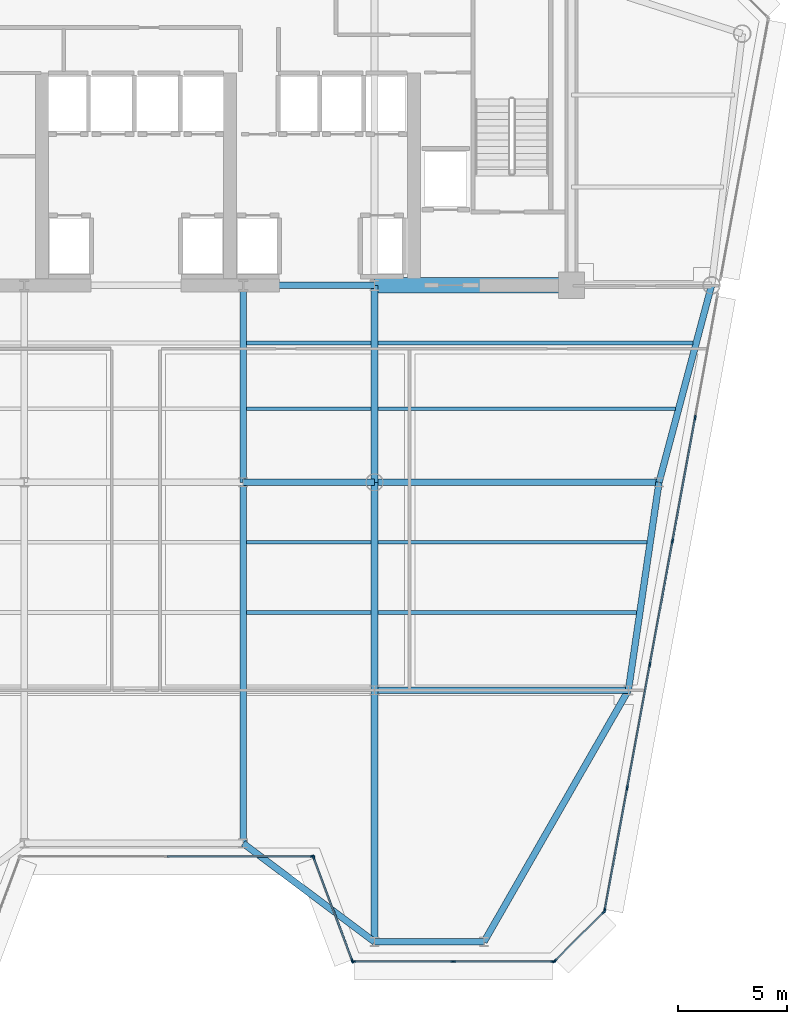
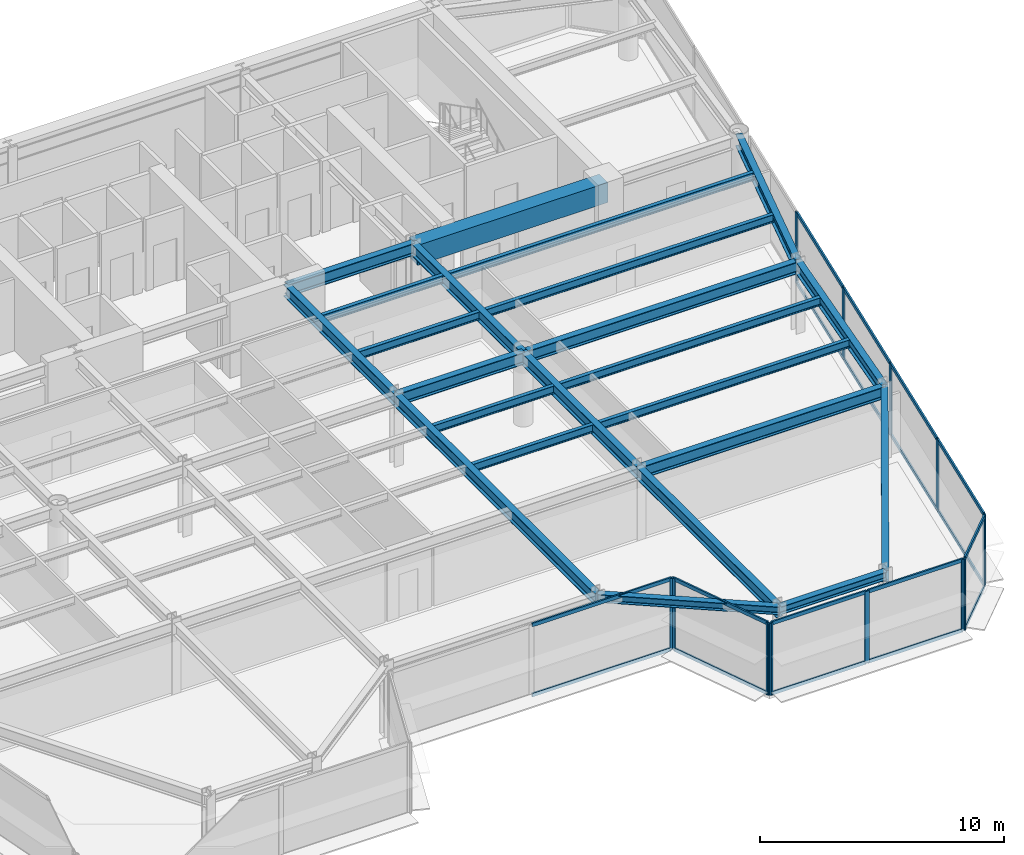
# One storey, part 4 of 15: 31 members, 23 beams, 5 elements without a shape of their own.
"""IFC4 building model written with IfcOpenShell, lengths in metres."""

from ifc_helpers import new_model, si_unit, direction, frame, origin, origin_2d, place, context, subcontext, project, spatial, rectangle, i_section, extrude, source, transform, mapped, material, layer, layer_set, material_profile, profile_set, type_object, element, aggregate, save


model = new_model("IFC4")

# Units and contexts
model_context = context("Model", 3, precision=1e-05, world=origin(), true_north=direction((0.0, 1.0)))
body_context = subcontext(model_context, "Body", "Model", "MODEL_VIEW")
ifc_project = project(units=[si_unit("LENGTHUNIT", "METRE"), si_unit("AREAUNIT", "SQUARE_METRE"), si_unit("VOLUMEUNIT", "CUBIC_METRE"), si_unit("PLANEANGLEUNIT", "RADIAN"), si_unit("MASSUNIT", "GRAM", prefix="KILO")], contexts=[model_context])

# Site, building, storey
site_placement = place(None, origin())
site = spatial("IfcSite", under=ifc_project, at=site_placement, CompositionType="ELEMENT")
building_placement = place(site_placement, origin())
building = spatial("IfcBuilding", under=site, at=building_placement, Name="Vaeldorn Concourse Tower", CompositionType="ELEMENT")
storey_placement = place(building_placement, frame((0.0, 0.0, 199.39990234375)))
storey = spatial("IfcBuildingStorey", under=building, at=storey_placement, Name="L51", CompositionType="ELEMENT", Elevation=199.39990234375)

# Beams
ifc_material_1 = material(Name="Concrete C50/60", Category="concrete")
ifc_material_profile_1 = material_profile(ifc_material_1, rectangle(XDim=0.699951171875, YDim=1.0, at=origin_2d()), Name="RC 700x1000")
ifc_profile_set_1 = profile_set([ifc_material_profile_1], Name="Concrete C50/60")
beam_type_1 = type_object("IfcBeamType", Name="BM-CB-RC700", PredefinedType="BEAM", material=ifc_profile_set_1)
shared_shape_1 = source(origin(), body_context, "Body", "SweptSolid", [
    extrude(rectangle(XDim=0.699951171875, YDim=1.0, at=origin_2d()), origin(), (0.0, 0.0, 1.0), 9.0),
])
beam_1_placement = place(storey_placement, frame((45.0, 36.5, 3.080078125), z_axis=(1.0, 0.0, 0.0), x_axis=(0.0, 1.0, 0.0)))
element("IfcBeam", 1, at=beam_1_placement, inside=storey, type_object=beam_type_1, Name="Core Coupling Beam L51-2", PredefinedType="BEAM", context=body_context, shape_type="MappedRepresentation", body=[
    mapped(shared_shape_1, transform((0.0, 0.0, 0.0), scale=1.0)),
])
ifc_material_2 = material(Name="Steel S355", Category="steel")
ifc_material_profile_2 = material_profile(ifc_material_2, i_section(OverallWidth=0.300048828125, OverallDepth=0.60009765625, WebThickness=0.015380859375, FlangeThickness=0.030029296875, FilletRadius=0.027099609375, at=origin_2d()), Name="HEB 600")
ifc_profile_set_2 = profile_set([ifc_material_profile_2], Name="Steel S355")
beam_type_2 = type_object("IfcBeamType", Name="BM-PG-HEB600", PredefinedType="BEAM", material=ifc_profile_set_2)
shared_shape_2 = source(origin(), body_context, "Body", "SweptSolid", [
    extrude(i_section(OverallWidth=0.300048828125, OverallDepth=0.60009765625, WebThickness=0.015380859375, FlangeThickness=0.030029296875, FilletRadius=0.027099609375, at=origin_2d()), origin(), (0.0, 0.0, 1.0), 6.0),
])
for number, where, z_axis, x_axis, name in (
    (2, (39.0, 36.5, 3.280029296875), (1.0, 0.0, 0.0), (0.0, 1.0, 0.0), "Beam BM-L51-C-FC4-C-FC5"),
    (3, (39.0, 27.5, 3.280029296875), (1.0, 0.0, 0.0), (0.0, 1.0, 0.0), "Beam BM-L51-C-TW3-C-TW4"),
):
    element("IfcBeam", number, at=place(storey_placement, frame(where, z_axis=z_axis, x_axis=x_axis)), inside=storey, type_object=beam_type_2, Name=name, PredefinedType="BEAM", context=body_context, shape_type="MappedRepresentation", body=[
        mapped(shared_shape_2, transform((0.0, 0.0, 0.0), scale=1.0)),
    ])
shared_shape_3 = source(origin(), body_context, "Body", "SweptSolid", [
    extrude(i_section(OverallWidth=0.300048828125, OverallDepth=0.60009765625, WebThickness=0.015380859375, FlangeThickness=0.030029296875, FilletRadius=0.027099609375, at=origin_2d()), origin(), (0.0, 0.0, 1.0), 9.0),
])
for number, where, z_axis, x_axis, name in (
    (4, (39.0, 27.5, 3.280029296875), (0.0, 1.0, 0.0), (-1.0, 0.0, 0.0), "Beam BM-L51-C-TW3-C-FC4"),
    (5, (45.0, 27.5, 3.280029296875), (0.0, 1.0, 0.0), (-1.0, 0.0, 0.0), "Beam BM-L51-C-TW4-C-FC5"),
):
    element("IfcBeam", number, at=place(storey_placement, frame(where, z_axis=z_axis, x_axis=x_axis)), inside=storey, type_object=beam_type_2, Name=name, PredefinedType="BEAM", context=body_context, shape_type="MappedRepresentation", body=[
        mapped(shared_shape_3, transform((0.0, 0.0, 0.0), scale=1.0)),
    ])
shared_shape_4 = source(origin(), body_context, "Body", "SweptSolid", [
    extrude(i_section(OverallWidth=0.300048828125, OverallDepth=0.60009765625, WebThickness=0.015380859375, FlangeThickness=0.030029296875, FilletRadius=0.027099609375, at=origin_2d()), origin(), (0.0, 0.0, 1.0), 9.314453125),
])
beam_2_placement = place(storey_placement, frame((60.39990234375, 36.5, 3.280029296875), z_axis=(-0.257652862255, -0.966237549763, 0.0), x_axis=(0.966237549763, -0.257652862255, 0.0)))
element("IfcBeam", 6, at=beam_2_placement, inside=storey, type_object=beam_type_2, Name="Beam BM-L51-C-NE2-C-FLE1", PredefinedType="BEAM", context=body_context, shape_type="MappedRepresentation", body=[
    mapped(shared_shape_4, transform((0.0, 0.0, 0.0), scale=1.0)),
])
shared_shape_5 = source(origin(), body_context, "Body", "SweptSolid", [
    extrude(i_section(OverallWidth=0.300048828125, OverallDepth=0.60009765625, WebThickness=0.015380859375, FlangeThickness=0.030029296875, FilletRadius=0.027099609375, at=origin_2d()), origin(), (0.0, 0.0, 1.0), 13.0),
])
beam_3_placement = place(storey_placement, frame((45.0, 27.5, 3.280029296875), z_axis=(1.0, 0.0, 0.0), x_axis=(0.0, 1.0, 0.0)))
element("IfcBeam", 7, at=beam_3_placement, inside=storey, type_object=beam_type_2, Name="Beam BM-L51-C-TW4-C-FLE1", PredefinedType="BEAM", context=body_context, shape_type="MappedRepresentation", body=[
    mapped(shared_shape_5, transform((0.0, 0.0, 0.0), scale=1.0)),
])
shared_shape_6 = source(origin(), body_context, "Body", "SweptSolid", [
    extrude(i_section(OverallWidth=0.300048828125, OverallDepth=0.60009765625, WebThickness=0.015380859375, FlangeThickness=0.030029296875, FilletRadius=0.027099609375, at=origin_2d()), origin(), (0.0, 0.0, 1.0), 9.6025390625),
])
beam_4_placement = place(storey_placement, frame((58.0, 27.5, 3.280029296875), z_axis=(-0.145783835977, -0.989316467652, 0.0), x_axis=(0.989316467652, -0.145783835977, 0.0)))
element("IfcBeam", 8, at=beam_4_placement, inside=storey, type_object=beam_type_2, Name="Beam BM-L51-C-FLE1-C-FLE2", PredefinedType="BEAM", context=body_context, shape_type="MappedRepresentation", body=[
    mapped(shared_shape_6, transform((0.0, 0.0, 0.0), scale=1.0)),
])
shared_shape_7 = source(origin(), body_context, "Body", "SweptSolid", [
    extrude(i_section(OverallWidth=0.300048828125, OverallDepth=0.60009765625, WebThickness=0.015380859375, FlangeThickness=0.030029296875, FilletRadius=0.027099609375, at=origin_2d()), origin(), (0.0, 0.0, 1.0), 11.60009765625),
])
beam_5_placement = place(storey_placement, frame((45.0, 18.0, 3.280029296875), z_axis=(1.0, 0.0, 0.0), x_axis=(0.0, 1.0, 0.0)))
element("IfcBeam", 9, at=beam_5_placement, inside=storey, type_object=beam_type_2, Name="Beam BM-L51-C-TW6-C-FLE2", PredefinedType="BEAM", context=body_context, shape_type="MappedRepresentation", body=[
    mapped(shared_shape_7, transform((0.0, 0.0, 0.0), scale=1.0)),
])
shared_shape_8 = source(origin(), body_context, "Body", "SweptSolid", [
    extrude(i_section(OverallWidth=0.300048828125, OverallDepth=0.60009765625, WebThickness=0.015380859375, FlangeThickness=0.030029296875, FilletRadius=0.027099609375, at=origin_2d()), origin(), (0.0, 0.0, 1.0), 9.5),
])
beam_6_placement = place(storey_placement, frame((45.0, 18.0, 3.280029296875), z_axis=(0.0, 1.0, 0.0), x_axis=(-1.0, 0.0, 0.0)))
element("IfcBeam", 10, at=beam_6_placement, inside=storey, type_object=beam_type_2, Name="Beam BM-L51-C-TW6-C-TW4", PredefinedType="BEAM", context=body_context, shape_type="MappedRepresentation", body=[
    mapped(shared_shape_8, transform((0.0, 0.0, 0.0), scale=1.0)),
])
shared_shape_9 = source(origin(), body_context, "Body", "SweptSolid", [
    extrude(i_section(OverallWidth=0.300048828125, OverallDepth=0.60009765625, WebThickness=0.015380859375, FlangeThickness=0.030029296875, FilletRadius=0.027099609375, at=origin_2d()), origin(), (0.0, 0.0, 1.0), 13.25927734375),
])
beam_7_placement = place(storey_placement, frame((50.0, 6.5, 3.280029296875), z_axis=(0.497768009943, 0.867310214558, 0.0), x_axis=(-0.867310214558, 0.497768009943, 0.0)))
element("IfcBeam", 11, at=beam_7_placement, inside=storey, type_object=beam_type_2, Name="Beam BM-L51-C-SF6-C-FLE2", PredefinedType="BEAM", context=body_context, shape_type="MappedRepresentation", body=[
    mapped(shared_shape_9, transform((0.0, 0.0, 0.0), scale=1.0)),
])
shared_shape_10 = source(origin(), body_context, "Body", "SweptSolid", [
    extrude(i_section(OverallWidth=0.300048828125, OverallDepth=0.60009765625, WebThickness=0.015380859375, FlangeThickness=0.030029296875, FilletRadius=0.027099609375, at=origin_2d()), origin(), (0.0, 0.0, 1.0), 11.5),
])
beam_8_placement = place(storey_placement, frame((45.0, 6.5, 3.280029296875), z_axis=(0.0, 1.0, 0.0), x_axis=(-1.0, 0.0, 0.0)))
element("IfcBeam", 12, at=beam_8_placement, inside=storey, type_object=beam_type_2, Name="Beam BM-L51-C-SF5-C-TW6", PredefinedType="BEAM", context=body_context, shape_type="MappedRepresentation", body=[
    mapped(shared_shape_10, transform((0.0, 0.0, 0.0), scale=1.0)),
])
shared_shape_11 = source(origin(), body_context, "Body", "SweptSolid", [
    extrude(i_section(OverallWidth=0.300048828125, OverallDepth=0.60009765625, WebThickness=0.015380859375, FlangeThickness=0.030029296875, FilletRadius=0.027099609375, at=origin_2d()), origin(), (0.0, 0.0, 1.0), 16.5),
])
beam_9_placement = place(storey_placement, frame((39.0, 11.0, 3.280029296875), z_axis=(0.0, 1.0, 0.0), x_axis=(-1.0, 0.0, 0.0)))
element("IfcBeam", 13, at=beam_9_placement, inside=storey, type_object=beam_type_2, Name="Beam BM-L51-C-SF4-C-TW3", PredefinedType="BEAM", context=body_context, shape_type="MappedRepresentation", body=[
    mapped(shared_shape_11, transform((0.0, 0.0, 0.0), scale=1.0)),
])
ifc_material_profile_3 = material_profile(ifc_material_2, i_section(OverallWidth=0.300048828125, OverallDepth=0.39990234375, WebThickness=0.013427734375, FlangeThickness=0.02392578125, FilletRadius=0.027099609375, at=origin_2d()), Name="HEB 400")
ifc_profile_set_3 = profile_set([ifc_material_profile_3], Name="Steel S355")
beam_type_3 = type_object("IfcBeamType", Name="BM-SP-HEB400", PredefinedType="SPANDREL", material=ifc_profile_set_3)
shared_shape_12 = source(origin(), body_context, "Body", "SweptSolid", [
    extrude(i_section(OverallWidth=0.300048828125, OverallDepth=0.39990234375, WebThickness=0.013427734375, FlangeThickness=0.02392578125, FilletRadius=0.027099609375, at=origin_2d()), origin(), (0.0, 0.0, 1.0), 5.0),
])
beam_10_placement = place(storey_placement, frame((45.0, 6.5, 3.380126953125), z_axis=(1.0, 0.0, 0.0), x_axis=(0.0, 1.0, 0.0)))
element("IfcBeam", 14, at=beam_10_placement, inside=storey, type_object=beam_type_3, Name="Beam BM-L51-C-SF5-C-SF6", PredefinedType="SPANDREL", context=body_context, shape_type="MappedRepresentation", body=[
    mapped(shared_shape_12, transform((0.0, 0.0, 0.0), scale=1.0)),
])
shared_shape_13 = source(origin(), body_context, "Body", "SweptSolid", [
    extrude(i_section(OverallWidth=0.300048828125, OverallDepth=0.39990234375, WebThickness=0.013427734375, FlangeThickness=0.02392578125, FilletRadius=0.027099609375, at=origin_2d()), origin(), (0.0, 0.0, 1.0), 7.5),
])
beam_11_placement = place(storey_placement, frame((39.0, 11.0, 3.380126953125), z_axis=(0.8, -0.6, 0.0), x_axis=(0.6, 0.8, 0.0)))
element("IfcBeam", 15, at=beam_11_placement, inside=storey, type_object=beam_type_3, Name="Beam BM-L51-C-SF4-C-SF5", PredefinedType="SPANDREL", context=body_context, shape_type="MappedRepresentation", body=[
    mapped(shared_shape_13, transform((0.0, 0.0, 0.0), scale=1.0)),
])
ifc_material_profile_4 = material_profile(ifc_material_2, i_section(OverallWidth=0.179931640625, OverallDepth=0.39990234375, WebThickness=0.008544921875, FlangeThickness=0.013427734375, FilletRadius=0.02099609375, at=origin_2d()), Name="IPE 400")
ifc_profile_set_4 = profile_set([ifc_material_profile_4], Name="Steel S355")
beam_type_4 = type_object("IfcBeamType", Name="BM-JS-IPE400", PredefinedType="JOIST", material=ifc_profile_set_4)
shared_shape_14 = source(origin(), body_context, "Body", "SweptSolid", [
    extrude(i_section(OverallWidth=0.179931640625, OverallDepth=0.39990234375, WebThickness=0.008544921875, FlangeThickness=0.013427734375, FilletRadius=0.02099609375, at=origin_2d()), origin(), (0.0, 0.0, 1.0), 5.7001953125),
])
for number, where, z_axis, x_axis, name in (
    (16, (39.14990234375, 21.56005859375, 3.380126953125), (1.0, 0.0, 0.0), (0.0, 1.0, 0.0), "Beam JS-L51-E2-215"),
    (17, (39.14990234375, 24.760009765625, 3.380126953125), (1.0, 0.0, 0.0), (0.0, 1.0, 0.0), "Beam JS-L51-E2-247"),
    (18, (39.14990234375, 30.860107421875, 3.380126953125), (1.0, 0.0, 0.0), (0.0, 1.0, 0.0), "Beam JS-L51-E2-308"),
    (19, (39.14990234375, 33.860107421875, 3.380126953125), (1.0, 0.0, 0.0), (0.0, 1.0, 0.0), "Beam JS-L51-E2-338"),
):
    element("IfcBeam", number, at=place(storey_placement, frame(where, z_axis=z_axis, x_axis=x_axis)), inside=storey, type_object=beam_type_4, Name=name, PredefinedType="JOIST", context=body_context, shape_type="MappedRepresentation", body=[
        mapped(shared_shape_14, transform((0.0, 0.0, 0.0), scale=1.0)),
    ])
shared_shape_15 = source(origin(), body_context, "Body", "SweptSolid", [
    extrude(i_section(OverallWidth=0.179931640625, OverallDepth=0.39990234375, WebThickness=0.008544921875, FlangeThickness=0.013427734375, FilletRadius=0.02099609375, at=origin_2d()), origin(), (0.0, 0.0, 1.0), 11.82470703125),
])
beam_12_placement = place(storey_placement, frame((45.14990234375, 21.56005859375, 3.380126953125), z_axis=(1.0, 0.0, 0.0), x_axis=(0.0, 1.0, 0.0)))
element("IfcBeam", 20, at=beam_12_placement, inside=storey, type_object=beam_type_4, Name="Beam JS-L51-E1-215", PredefinedType="JOIST", context=body_context, shape_type="MappedRepresentation", body=[
    mapped(shared_shape_15, transform((0.0, 0.0, 0.0), scale=1.0)),
])
shared_shape_16 = source(origin(), body_context, "Body", "SweptSolid", [
    extrude(i_section(OverallWidth=0.179931640625, OverallDepth=0.39990234375, WebThickness=0.008544921875, FlangeThickness=0.013427734375, FilletRadius=0.02099609375, at=origin_2d()), origin(), (0.0, 0.0, 1.0), 12.29638671875),
])
beam_13_placement = place(storey_placement, frame((45.14990234375, 24.760009765625, 3.380126953125), z_axis=(1.0, 0.0, 0.0), x_axis=(0.0, 1.0, 0.0)))
element("IfcBeam", 21, at=beam_13_placement, inside=storey, type_object=beam_type_4, Name="Beam JS-L51-E1-247", PredefinedType="JOIST", context=body_context, shape_type="MappedRepresentation", body=[
    mapped(shared_shape_16, transform((0.0, 0.0, 0.0), scale=1.0)),
])
shared_shape_17 = source(origin(), body_context, "Body", "SweptSolid", [
    extrude(i_section(OverallWidth=0.179931640625, OverallDepth=0.39990234375, WebThickness=0.008544921875, FlangeThickness=0.013427734375, FilletRadius=0.02099609375, at=origin_2d()), origin(), (0.0, 0.0, 1.0), 13.59619140625),
])
beam_14_placement = place(storey_placement, frame((45.14990234375, 30.860107421875, 3.380126953125), z_axis=(1.0, 0.0, 0.0), x_axis=(0.0, 1.0, 0.0)))
element("IfcBeam", 22, at=beam_14_placement, inside=storey, type_object=beam_type_4, Name="Beam JS-L51-E1-308", PredefinedType="JOIST", context=body_context, shape_type="MappedRepresentation", body=[
    mapped(shared_shape_17, transform((0.0, 0.0, 0.0), scale=1.0)),
])
shared_shape_18 = source(origin(), body_context, "Body", "SweptSolid", [
    extrude(i_section(OverallWidth=0.179931640625, OverallDepth=0.39990234375, WebThickness=0.008544921875, FlangeThickness=0.013427734375, FilletRadius=0.02099609375, at=origin_2d()), origin(), (0.0, 0.0, 1.0), 14.39599609375),
])
beam_15_placement = place(storey_placement, frame((45.14990234375, 33.860107421875, 3.380126953125), z_axis=(1.0, 0.0, 0.0), x_axis=(0.0, 1.0, 0.0)))
element("IfcBeam", 23, at=beam_15_placement, inside=storey, type_object=beam_type_4, Name="Beam JS-L51-E1-338", PredefinedType="JOIST", context=body_context, shape_type="MappedRepresentation", body=[
    mapped(shared_shape_18, transform((0.0, 0.0, 0.0), scale=1.0)),
])

# Curtain wall, members
ifc_material_3 = material(Name="Anodised Bronze Aluminium", Category="aluminium")
ifc_layer = layer(ifc_material_3, 0.2099609375)
ifc_layer_set = layer_set([ifc_layer], Name="Anodised Bronze Aluminium")
curtain_wall_type = type_object("IfcCurtainWallType", Name="CW-SYS-06", PredefinedType="NOTDEFINED", material=ifc_layer_set)
curtain_wall_1_placement = place(storey_placement, origin())
curtain_wall_1 = element("IfcCurtainWall", 24, at=curtain_wall_1_placement, inside=storey, type_object=curtain_wall_type, Name="Unitised Curtain Wall CW-L51-E03-1", PredefinedType="NOTDEFINED")
ifc_material_profile_5 = material_profile(ifc_material_3, rectangle(XDim=0.074951171875, YDim=0.179931640625, at=origin_2d()), Name="CWT 75x180")
ifc_profile_set_5 = profile_set([ifc_material_profile_5], Name="Anodised Bronze Aluminium")
member_type_1 = type_object("IfcMemberType", Name="CWT-BRONZE-180", PredefinedType="USERDEFINED", material=ifc_profile_set_5)
shared_shape_19 = source(origin(), body_context, "Body", "SweptSolid", [
    extrude(rectangle(XDim=0.074951171875, YDim=0.179931640625, at=origin_2d()), origin(), (0.0, 0.0, 1.0), 6.58740234375),
])
member_1_placement = place(storey_placement, frame((35.53759765625, 10.39990234375, 0.03759765625), z_axis=(1.0, 0.0, 0.0), x_axis=(0.0, 1.0, 0.0)))
member_1 = element("IfcMember", 25, at=member_1_placement, type_object=member_type_1, Name="CW-06 transom 2.1", ObjectType="TRANSOM", PredefinedType="USERDEFINED", context=body_context, shape_type="MappedRepresentation", body=[
    mapped(shared_shape_19, transform((0.0, 0.0, 0.0), scale=1.0)),
])
member_2_placement = place(storey_placement, frame((35.53759765625, 10.39990234375, 3.54248046875), z_axis=(1.0, 0.0, 0.0), x_axis=(0.0, 1.0, 0.0)))
member_2 = element("IfcMember", 26, at=member_2_placement, type_object=member_type_1, Name="CW-06 transom 2.2", ObjectType="TRANSOM", PredefinedType="USERDEFINED", context=body_context, shape_type="MappedRepresentation", body=[
    mapped(shared_shape_19, transform((0.0, 0.0, 0.0), scale=1.0)),
])

curtain_wall_2_placement = place(storey_placement, origin())
curtain_wall_2 = element("IfcCurtainWall", 27, at=curtain_wall_2_placement, inside=storey, type_object=curtain_wall_type, Name="Unitised Curtain Wall CW-L51-E06-1", PredefinedType="NOTDEFINED")
shared_shape_20 = source(origin(), body_context, "Body", "SweptSolid", [
    extrude(rectangle(XDim=0.074951171875, YDim=0.179931640625, at=origin_2d()), origin(), (0.0, 0.0, 1.0), 3.102783203125),
])
member_3_placement = place(storey_placement, frame((53.261962890625, 5.653076171875, 0.03759765625), z_axis=(0.707146122816, 0.707067437368, 0.0), x_axis=(-0.707067437368, 0.707146122816, 0.0)))
member_3 = element("IfcMember", 28, at=member_3_placement, type_object=member_type_1, Name="CW-06 transom 1.1", ObjectType="TRANSOM", PredefinedType="USERDEFINED", context=body_context, shape_type="MappedRepresentation", body=[
    mapped(shared_shape_20, transform((0.0, 0.0, 0.0), scale=1.0)),
])
member_4_placement = place(storey_placement, frame((53.261962890625, 5.653076171875, 3.54248046875), z_axis=(0.707146122816, 0.707067437368, 0.0), x_axis=(-0.707067437368, 0.707146122816, 0.0)))
member_4 = element("IfcMember", 29, at=member_4_placement, type_object=member_type_1, Name="CW-06 transom 1.2", ObjectType="TRANSOM", PredefinedType="USERDEFINED", context=body_context, shape_type="MappedRepresentation", body=[
    mapped(shared_shape_20, transform((0.0, 0.0, 0.0), scale=1.0)),
])

curtain_wall_3_placement = place(storey_placement, origin())
curtain_wall_3 = element("IfcCurtainWall", 30, at=curtain_wall_3_placement, inside=storey, type_object=curtain_wall_type, Name="Unitised Curtain Wall CW-L51-E04-1", PredefinedType="NOTDEFINED")
shared_shape_21 = source(origin(), body_context, "Body", "SweptSolid", [
    extrude(rectangle(XDim=0.074951171875, YDim=0.179931640625, at=origin_2d()), origin(), (0.0, 0.0, 1.0), 4.9765625),
])
member_5_placement = place(storey_placement, frame((42.226318359375, 10.329833984375, 0.03759765625), z_axis=(0.351112688987, -0.936333209724, 0.0), x_axis=(0.936333209724, 0.351112688987, 0.0)))
member_5 = element("IfcMember", 31, at=member_5_placement, type_object=member_type_1, Name="CW-06 transom 1.1", ObjectType="TRANSOM", PredefinedType="USERDEFINED", context=body_context, shape_type="MappedRepresentation", body=[
    mapped(shared_shape_21, transform((0.0, 0.0, 0.0), scale=1.0)),
])
member_6_placement = place(storey_placement, frame((42.226318359375, 10.329833984375, 3.54248046875), z_axis=(0.351112688987, -0.936333209724, 0.0), x_axis=(0.936333209724, 0.351112688987, 0.0)))
member_6 = element("IfcMember", 32, at=member_6_placement, type_object=member_type_1, Name="CW-06 transom 1.2", ObjectType="TRANSOM", PredefinedType="USERDEFINED", context=body_context, shape_type="MappedRepresentation", body=[
    mapped(shared_shape_21, transform((0.0, 0.0, 0.0), scale=1.0)),
])

# Member
ifc_material_profile_6 = material_profile(ifc_material_3, rectangle(XDim=0.074951171875, YDim=0.219970703125, at=origin_2d()), Name="CWM 75x220")
ifc_profile_set_6 = profile_set([ifc_material_profile_6], Name="Anodised Bronze Aluminium")
member_type_2 = type_object("IfcMemberType", Name="CWM-BRONZE-220", PredefinedType="MULLION", material=ifc_profile_set_6)
shared_shape_22 = source(origin(), body_context, "Body", "SweptSolid", [
    extrude(rectangle(XDim=0.074951171875, YDim=0.219970703125, at=origin_2d()), origin(), (0.0, 0.0, 1.0), 3.580078125),
])
member_7_placement = place(storey_placement, frame((42.16259765625, 10.39990234375, 0.0), z_axis=(0.0, 0.0, 1.0), x_axis=(0.0, 1.0, 0.0)))
member_7 = element("IfcMember", 33, at=member_7_placement, type_object=member_type_2, Name="CW-06 mullion 3", PredefinedType="MULLION", context=body_context, shape_type="MappedRepresentation", body=[
    mapped(shared_shape_22, transform((0.0, 0.0, 0.0), scale=1.0)),
])

aggregate(curtain_wall_1, [member_7, member_1, member_2])

member_8_placement = place(storey_placement, frame((42.213134765625, 10.364990234375, 0.0), z_axis=(0.0, 0.0, 1.0), x_axis=(0.936329177566, 0.351123441595, 0.0)))
member_8 = element("IfcMember", 34, at=member_8_placement, type_object=member_type_2, Name="CW-06 mullion 1", PredefinedType="MULLION", context=body_context, shape_type="MappedRepresentation", body=[
    mapped(shared_shape_22, transform((0.0, 0.0, 0.0), scale=1.0)),
])

member_9_placement = place(storey_placement, frame((43.98681640625, 5.635009765625, 0.0), z_axis=(0.0, 0.0, 1.0), x_axis=(0.936329177566, 0.351123441595, 0.0)))
member_9 = element("IfcMember", 35, at=member_9_placement, type_object=member_type_2, Name="CW-06 mullion 2", PredefinedType="MULLION", context=body_context, shape_type="MappedRepresentation", body=[
    mapped(shared_shape_22, transform((0.0, 0.0, 0.0), scale=1.0)),
])

aggregate(curtain_wall_3, [member_8, member_9, member_5, member_6])

# Curtain wall, members
curtain_wall_4_placement = place(storey_placement, origin())
curtain_wall_4 = element("IfcCurtainWall", 36, at=curtain_wall_4_placement, inside=storey, type_object=curtain_wall_type, Name="Unitised Curtain Wall CW-L51-E05-1", PredefinedType="NOTDEFINED")
member_10_placement = place(storey_placement, frame((44.03759765625, 5.60009765625, 0.0), z_axis=(0.0, 0.0, 1.0), x_axis=(0.0, 1.0, 0.0)))
member_10 = element("IfcMember", 37, at=member_10_placement, type_object=member_type_2, Name="CW-06 mullion 1", PredefinedType="MULLION", context=body_context, shape_type="MappedRepresentation", body=[
    mapped(shared_shape_22, transform((0.0, 0.0, 0.0), scale=1.0)),
])
member_11_placement = place(storey_placement, frame((48.6044921875, 5.60009765625, 0.0), z_axis=(0.0, 0.0, 1.0), x_axis=(0.0, 1.0, 0.0)))
member_11 = element("IfcMember", 38, at=member_11_placement, type_object=member_type_2, Name="CW-06 mullion 2", PredefinedType="MULLION", context=body_context, shape_type="MappedRepresentation", body=[
    mapped(shared_shape_22, transform((0.0, 0.0, 0.0), scale=1.0)),
])
member_12_placement = place(storey_placement, frame((53.17138671875, 5.60009765625, 0.0), z_axis=(0.0, 0.0, 1.0), x_axis=(0.0, 1.0, 0.0)))
member_12 = element("IfcMember", 39, at=member_12_placement, type_object=member_type_2, Name="CW-06 mullion 3", PredefinedType="MULLION", context=body_context, shape_type="MappedRepresentation", body=[
    mapped(shared_shape_22, transform((0.0, 0.0, 0.0), scale=1.0)),
])

# Member
member_13_placement = place(storey_placement, frame((53.235595703125, 5.62646484375, 0.0), z_axis=(0.0, 0.0, 1.0), x_axis=(-0.707106781187, 0.707106781187, 0.0)))
member_13 = element("IfcMember", 40, at=member_13_placement, type_object=member_type_2, Name="CW-06 mullion 1", PredefinedType="MULLION", context=body_context, shape_type="MappedRepresentation", body=[
    mapped(shared_shape_22, transform((0.0, 0.0, 0.0), scale=1.0)),
])

member_14_placement = place(storey_placement, frame((55.482421875, 7.87353515625, 0.0), z_axis=(0.0, 0.0, 1.0), x_axis=(-0.707106781187, 0.707106781187, 0.0)))
member_14 = element("IfcMember", 41, at=member_14_placement, type_object=member_type_2, Name="CW-06 mullion 2", PredefinedType="MULLION", context=body_context, shape_type="MappedRepresentation", body=[
    mapped(shared_shape_22, transform((0.0, 0.0, 0.0), scale=1.0)),
])

aggregate(curtain_wall_2, [member_13, member_14, member_3, member_4])

# Curtain wall, members
curtain_wall_5_placement = place(storey_placement, origin())
curtain_wall_5 = element("IfcCurtainWall", 42, at=curtain_wall_5_placement, inside=storey, type_object=curtain_wall_type, Name="Unitised Curtain Wall CW-L51-E07-1", PredefinedType="NOTDEFINED")
member_15_placement = place(storey_placement, frame((55.515869140625, 7.936767578125, 0.0), z_axis=(0.0, 0.0, 1.0), x_axis=(-0.983559325018, 0.180585309951, 0.0)))
member_15 = element("IfcMember", 43, at=member_15_placement, type_object=member_type_2, Name="CW-06 mullion 1", PredefinedType="MULLION", context=body_context, shape_type="MappedRepresentation", body=[
    mapped(shared_shape_22, transform((0.0, 0.0, 0.0), scale=1.0)),
])
member_16_placement = place(storey_placement, frame((56.5439453125, 13.53662109375, 0.0), z_axis=(0.0, 0.0, 1.0), x_axis=(-0.983559325018, 0.180585309951, 0.0)))
member_16 = element("IfcMember", 44, at=member_16_placement, type_object=member_type_2, Name="CW-06 mullion 2", PredefinedType="MULLION", context=body_context, shape_type="MappedRepresentation", body=[
    mapped(shared_shape_22, transform((0.0, 0.0, 0.0), scale=1.0)),
])
member_17_placement = place(storey_placement, frame((57.578857421875, 19.17333984375, 0.0), z_axis=(0.0, 0.0, 1.0), x_axis=(-0.983559325018, 0.180585309951, 0.0)))
member_17 = element("IfcMember", 45, at=member_17_placement, type_object=member_type_2, Name="CW-06 mullion 3", PredefinedType="MULLION", context=body_context, shape_type="MappedRepresentation", body=[
    mapped(shared_shape_22, transform((0.0, 0.0, 0.0), scale=1.0)),
])
member_18_placement = place(storey_placement, frame((58.61376953125, 24.81005859375, 0.0), z_axis=(0.0, 0.0, 1.0), x_axis=(-0.983559325018, 0.180585309951, 0.0)))
member_18 = element("IfcMember", 46, at=member_18_placement, type_object=member_type_2, Name="CW-06 mullion 4", PredefinedType="MULLION", context=body_context, shape_type="MappedRepresentation", body=[
    mapped(shared_shape_22, transform((0.0, 0.0, 0.0), scale=1.0)),
])
member_19_placement = place(storey_placement, frame((59.648681640625, 30.44677734375, 0.0), z_axis=(0.0, 0.0, 1.0), x_axis=(-0.983559325018, 0.180585309951, 0.0)))
member_19 = element("IfcMember", 47, at=member_19_placement, type_object=member_type_2, Name="CW-06 mullion 5", PredefinedType="MULLION", context=body_context, shape_type="MappedRepresentation", body=[
    mapped(shared_shape_22, transform((0.0, 0.0, 0.0), scale=1.0)),
])

# Member
shared_shape_23 = source(origin(), body_context, "Body", "SweptSolid", [
    extrude(rectangle(XDim=0.074951171875, YDim=0.179931640625, at=origin_2d()), origin(), (0.0, 0.0, 1.0), 4.491943359375),
])
member_20_placement = place(storey_placement, frame((44.074951171875, 5.60009765625, 0.03759765625), z_axis=(1.0, 0.0, 0.0), x_axis=(0.0, 1.0, 0.0)))
member_20 = element("IfcMember", 48, at=member_20_placement, type_object=member_type_1, Name="CW-06 transom 1.1", ObjectType="TRANSOM", PredefinedType="USERDEFINED", context=body_context, shape_type="MappedRepresentation", body=[
    mapped(shared_shape_23, transform((0.0, 0.0, 0.0), scale=1.0)),
])

member_21_placement = place(storey_placement, frame((44.074951171875, 5.60009765625, 3.54248046875), z_axis=(1.0, 0.0, 0.0), x_axis=(0.0, 1.0, 0.0)))
member_21 = element("IfcMember", 49, at=member_21_placement, type_object=member_type_1, Name="CW-06 transom 1.2", ObjectType="TRANSOM", PredefinedType="USERDEFINED", context=body_context, shape_type="MappedRepresentation", body=[
    mapped(shared_shape_23, transform((0.0, 0.0, 0.0), scale=1.0)),
])

member_22_placement = place(storey_placement, frame((48.64208984375, 5.60009765625, 0.03759765625), z_axis=(1.0, 0.0, 0.0), x_axis=(0.0, 1.0, 0.0)))
member_22 = element("IfcMember", 50, at=member_22_placement, type_object=member_type_1, Name="CW-06 transom 2.1", ObjectType="TRANSOM", PredefinedType="USERDEFINED", context=body_context, shape_type="MappedRepresentation", body=[
    mapped(shared_shape_23, transform((0.0, 0.0, 0.0), scale=1.0)),
])

member_23_placement = place(storey_placement, frame((48.64208984375, 5.60009765625, 3.54248046875), z_axis=(1.0, 0.0, 0.0), x_axis=(0.0, 1.0, 0.0)))
member_23 = element("IfcMember", 51, at=member_23_placement, type_object=member_type_1, Name="CW-06 transom 2.2", ObjectType="TRANSOM", PredefinedType="USERDEFINED", context=body_context, shape_type="MappedRepresentation", body=[
    mapped(shared_shape_23, transform((0.0, 0.0, 0.0), scale=1.0)),
])

aggregate(curtain_wall_4, [member_10, member_11, member_12, member_20, member_21, member_22, member_23])

shared_shape_24 = source(origin(), body_context, "Body", "SweptSolid", [
    extrude(rectangle(XDim=0.074951171875, YDim=0.179931640625, at=origin_2d()), origin(), (0.0, 0.0, 1.0), 5.6181640625),
])
member_24_placement = place(storey_placement, frame((55.5224609375, 7.973876953125, 0.03759765625), z_axis=(0.180598330775, 0.983556934255, 0.0), x_axis=(-0.983556934255, 0.180598330775, 0.0)))
member_24 = element("IfcMember", 52, at=member_24_placement, type_object=member_type_1, Name="CW-06 transom 1.1", ObjectType="TRANSOM", PredefinedType="USERDEFINED", context=body_context, shape_type="MappedRepresentation", body=[
    mapped(shared_shape_24, transform((0.0, 0.0, 0.0), scale=1.0)),
])

member_25_placement = place(storey_placement, frame((55.5224609375, 7.973876953125, 3.54248046875), z_axis=(0.180598330775, 0.983556934255, 0.0), x_axis=(-0.983556934255, 0.180598330775, 0.0)))
member_25 = element("IfcMember", 53, at=member_25_placement, type_object=member_type_1, Name="CW-06 transom 1.2", ObjectType="TRANSOM", PredefinedType="USERDEFINED", context=body_context, shape_type="MappedRepresentation", body=[
    mapped(shared_shape_24, transform((0.0, 0.0, 0.0), scale=1.0)),
])

shared_shape_25 = source(origin(), body_context, "Body", "SweptSolid", [
    extrude(rectangle(XDim=0.074951171875, YDim=0.179931640625, at=origin_2d()), origin(), (0.0, 0.0, 1.0), 5.656005859375),
])
member_26_placement = place(storey_placement, frame((56.55078125, 13.573486328125, 0.03759765625), z_axis=(0.180560336826, 0.983563909853, 0.0), x_axis=(-0.983563909853, 0.180560336826, 0.0)))
member_26 = element("IfcMember", 54, at=member_26_placement, type_object=member_type_1, Name="CW-06 transom 2.1", ObjectType="TRANSOM", PredefinedType="USERDEFINED", context=body_context, shape_type="MappedRepresentation", body=[
    mapped(shared_shape_25, transform((0.0, 0.0, 0.0), scale=1.0)),
])

member_27_placement = place(storey_placement, frame((56.55078125, 13.573486328125, 3.54248046875), z_axis=(0.180560336826, 0.983563909853, 0.0), x_axis=(-0.983563909853, 0.180560336826, 0.0)))
member_27 = element("IfcMember", 55, at=member_27_placement, type_object=member_type_1, Name="CW-06 transom 2.2", ObjectType="TRANSOM", PredefinedType="USERDEFINED", context=body_context, shape_type="MappedRepresentation", body=[
    mapped(shared_shape_25, transform((0.0, 0.0, 0.0), scale=1.0)),
])

member_28_placement = place(storey_placement, frame((57.585693359375, 19.210205078125, 0.03759765625), z_axis=(0.180560336826, 0.983563909853, 0.0), x_axis=(-0.983563909853, 0.180560336826, 0.0)))
member_28 = element("IfcMember", 56, at=member_28_placement, type_object=member_type_1, Name="CW-06 transom 3.1", ObjectType="TRANSOM", PredefinedType="USERDEFINED", context=body_context, shape_type="MappedRepresentation", body=[
    mapped(shared_shape_25, transform((0.0, 0.0, 0.0), scale=1.0)),
])

member_29_placement = place(storey_placement, frame((57.585693359375, 19.210205078125, 3.54248046875), z_axis=(0.180560336826, 0.983563909853, 0.0), x_axis=(-0.983563909853, 0.180560336826, 0.0)))
member_29 = element("IfcMember", 57, at=member_29_placement, type_object=member_type_1, Name="CW-06 transom 3.2", ObjectType="TRANSOM", PredefinedType="USERDEFINED", context=body_context, shape_type="MappedRepresentation", body=[
    mapped(shared_shape_25, transform((0.0, 0.0, 0.0), scale=1.0)),
])

member_30_placement = place(storey_placement, frame((58.62060546875, 24.846923828125, 0.03759765625), z_axis=(0.180560336826, 0.983563909853, 0.0), x_axis=(-0.983563909853, 0.180560336826, 0.0)))
member_30 = element("IfcMember", 58, at=member_30_placement, type_object=member_type_1, Name="CW-06 transom 4.1", ObjectType="TRANSOM", PredefinedType="USERDEFINED", context=body_context, shape_type="MappedRepresentation", body=[
    mapped(shared_shape_25, transform((0.0, 0.0, 0.0), scale=1.0)),
])

member_31_placement = place(storey_placement, frame((58.62060546875, 24.846923828125, 3.54248046875), z_axis=(0.180560336826, 0.983563909853, 0.0), x_axis=(-0.983563909853, 0.180560336826, 0.0)))
member_31 = element("IfcMember", 59, at=member_31_placement, type_object=member_type_1, Name="CW-06 transom 4.2", ObjectType="TRANSOM", PredefinedType="USERDEFINED", context=body_context, shape_type="MappedRepresentation", body=[
    mapped(shared_shape_25, transform((0.0, 0.0, 0.0), scale=1.0)),
])

aggregate(curtain_wall_5, [member_15, member_16, member_17, member_18, member_19, member_24, member_25, member_26, member_27, member_28, member_29, member_30, member_31])

save(model, "model.ifc")
